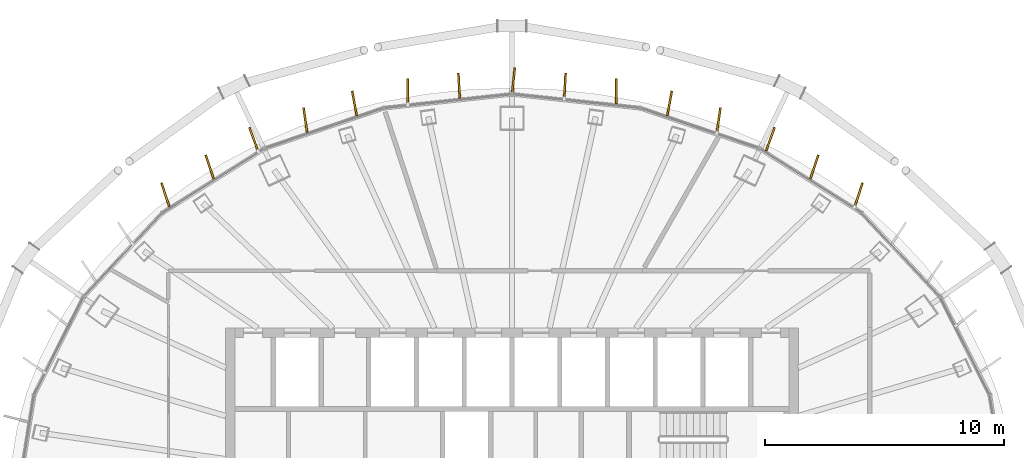
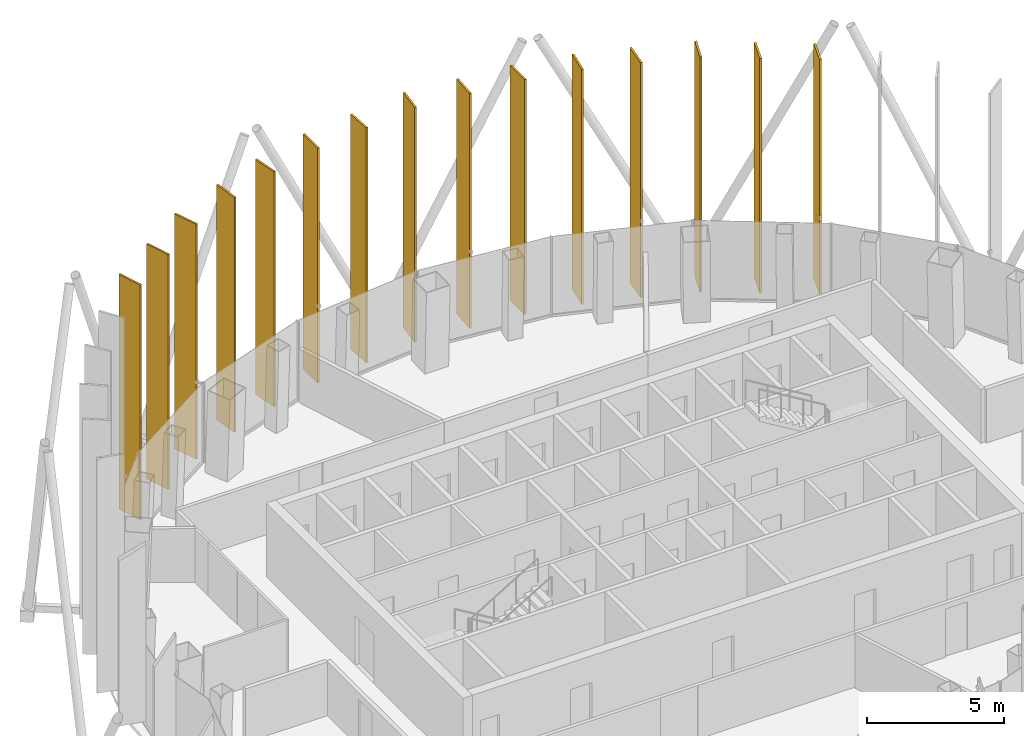
# One storey, part 19 of 19: 15 shading devices.
"""IFC4 building model written with IfcOpenShell, lengths in metres."""

from ifc_helpers import new_model, si_unit, direction, frame, origin, origin_2d, place, context, subcontext, project, spatial, rectangle, extrude, material, layer, layer_set, type_object, element, save


model = new_model("IFC4")

# Units and contexts
model_context = context("Model", 3, precision=1e-05, world=origin(), true_north=direction((0.0, 1.0)))
body_context = subcontext(model_context, "Body", "Model", "MODEL_VIEW")
ifc_project = project(units=[si_unit("LENGTHUNIT", "METRE"), si_unit("AREAUNIT", "SQUARE_METRE"), si_unit("VOLUMEUNIT", "CUBIC_METRE"), si_unit("PLANEANGLEUNIT", "RADIAN"), si_unit("MASSUNIT", "GRAM", prefix="KILO")], contexts=[model_context])

# Site, building, storey
site_placement = place(None, origin())
site = spatial("IfcSite", under=ifc_project, at=site_placement, CompositionType="ELEMENT")
building_placement = place(site_placement, origin())
building = spatial("IfcBuilding", under=site, at=building_placement, Name="Siaravel Broadcast Tower", CompositionType="ELEMENT")
storey_placement = place(building_placement, frame((0.0, 0.0, 250.39990234375)))
storey = spatial("IfcBuildingStorey", under=building, at=storey_placement, Name="L61", CompositionType="ELEMENT", Elevation=250.39990234375)

# Shading devices
ifc_material = material(Name="Bronze anodised aluminium", Category="aluminium")
ifc_layer = layer(ifc_material, 0.080078125)
ifc_layer_set = layer_set([ifc_layer], Name="Bronze anodised aluminium")
shading_device_type = type_object("IfcShadingDeviceType", Name="Bronze fin zone 4", PredefinedType="USERDEFINED", material=ifc_layer_set)
for number, where, z_axis, x_axis, name in (
    (1, (14.5283203125, 12.78173828125, 0.300048828125), (0.0, 0.0, 1.0), (0.311713096, 0.950176271, 0.0), "Bronze fin L61-07"),
    (2, (12.6748046875, 13.94775390625, 0.300048828125), (0.0, 0.0, 1.0), (0.319773042, 0.94749417, 0.0), "Bronze fin L61-08"),
    (3, (10.82763671875, 15.11181640625, 0.300048828125), (0.0, 0.0, 1.0), (0.339173053, 0.940723998, 0.0), "Bronze fin L61-09"),
    (4, (8.66162109375, 15.91162109375, 0.300048828125), (0.0, 0.0, 1.0), (0.141682207, 0.989912194, 0.0), "Bronze fin L61-10"),
    (5, (6.604248046875, 16.61328125, 0.300048828125), (0.0, 0.0, 1.0), (0.180165502, 0.983636311, 0.0), "Bronze fin L61-11"),
    (6, (4.373291015625, 17.1142578125, 0.300048828125), (0.0, 0.0, 1.0), (0.006450692, 0.999979194, 0.0), "Bronze fin L61-12"),
    (7, (2.218017578125, 17.348876953125, 0.300048828125), (0.0, 0.0, 1.0), (0.055873783, 0.99843784, 0.0), "Bronze fin L61-13"),
    (8, (0.063720703125, 17.581787109375, 0.300048828125), (0.0, 0.0, 1.0), (0.107218518, 0.99423548, 0.0), "Bronze fin L61-14"),
    (9, (-2.218017578125, 17.348876953125, 0.300048828125), (0.0, 0.0, 1.0), (-0.055873783, 0.99843784, 0.0), "Bronze fin L61-15"),
    (10, (-4.373291015625, 17.1142578125, 0.300048828125), (0.0, 0.0, 1.0), (-0.006450692, 0.999979194, 0.0), "Bronze fin L61-16"),
    (11, (-6.604248046875, 16.61328125, 0.300048828125), (0.0, 0.0, 1.0), (-0.180165502, 0.983636311, 0.0), "Bronze fin L61-17"),
    (12, (-8.66162109375, 15.91162109375, 0.300048828125), (0.0, 0.0, 1.0), (-0.141682207, 0.989912194, 0.0), "Bronze fin L61-18"),
    (13, (-10.82763671875, 15.11181640625, 0.300048828125), (0.0, 0.0, 1.0), (-0.339173053, 0.940723998, 0.0), "Bronze fin L61-19"),
    (14, (-12.6748046875, 13.94775390625, 0.300048828125), (0.0, 0.0, 1.0), (-0.319773042, 0.94749417, 0.0), "Bronze fin L61-20"),
    (15, (-14.5283203125, 12.78173828125, 0.300048828125), (0.0, 0.0, 1.0), (-0.311713096, 0.950176271, 0.0), "Bronze fin L61-21"),
):
    element("IfcShadingDevice", number, at=place(storey_placement, frame(where, z_axis=z_axis, x_axis=x_axis)), inside=storey, type_object=shading_device_type, Name=name, ObjectType="FIN", PredefinedType="USERDEFINED", context=body_context, shape_type="SweptSolid", body=[
        extrude(rectangle(XDim=1.050048828125, YDim=0.080078125, at=origin_2d()), origin(), (0.0, 0.0, 1.0), 10.5),
    ])

save(model, "model.ifc")
